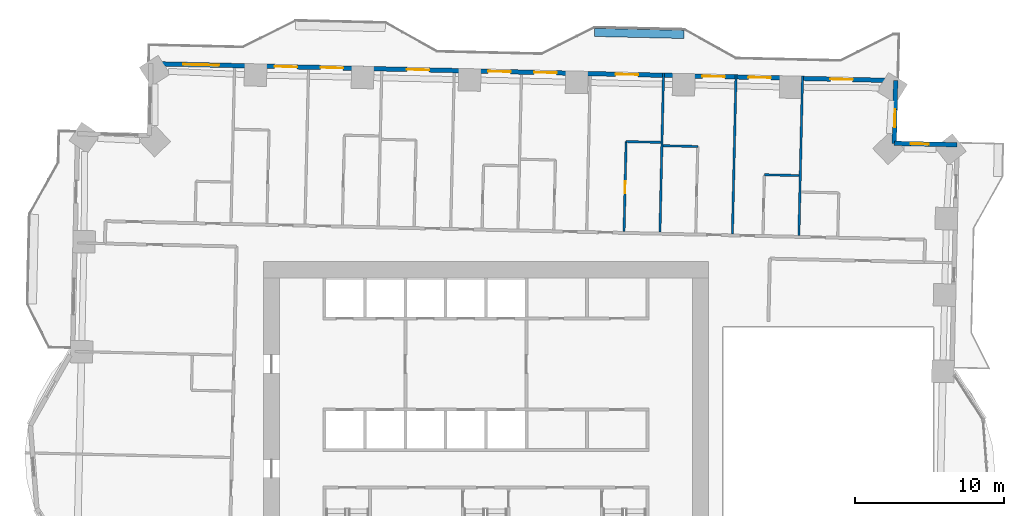
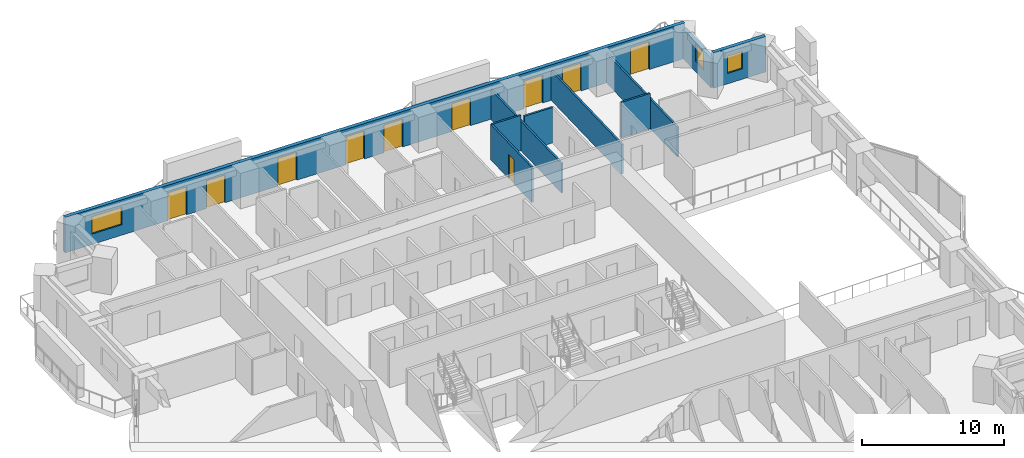
# One storey, part 14 of 20: 11 walls, 10 doors, 3 windows, 13 openings.
"""IFC4 building model written with IfcOpenShell, lengths in metres."""

from ifc_helpers import new_model, si_unit, direction, frame, frame_2d, origin, place, context, subcontext, project, spatial, rectangle, extrude, material, layer, layer_set, type_object, element, fill, save


model = new_model("IFC4")

# Units and contexts
model_context = context("Model", 3, precision=1e-05, world=origin(), true_north=direction((0.0, 1.0)))
body_context = subcontext(model_context, "Body", "Model", "MODEL_VIEW")
ifc_project = project(units=[si_unit("LENGTHUNIT", "METRE"), si_unit("AREAUNIT", "SQUARE_METRE"), si_unit("VOLUMEUNIT", "CUBIC_METRE"), si_unit("PLANEANGLEUNIT", "RADIAN"), si_unit("MASSUNIT", "GRAM", prefix="KILO")], contexts=[model_context])

# Site, building, storey
site_placement = place(None, origin())
site = spatial("IfcSite", under=ifc_project, at=site_placement, CompositionType="ELEMENT")
building_placement = place(site_placement, origin())
building = spatial("IfcBuilding", under=site, at=building_placement, Name="Mangrove Gate Tower", CompositionType="ELEMENT")
storey_placement = place(building_placement, frame((0.0, 0.0, 60.300048828125)))
storey = spatial("IfcBuildingStorey", under=building, at=storey_placement, Name="L14", CompositionType="ELEMENT", Elevation=60.300048828125)

# Wall, opening, window
ifc_material_1 = material(Name="Limestone", Category="masonry")
ifc_layer_1 = layer(ifc_material_1, 0.0400390625, Name="Limestone cladding")
ifc_material_2 = material(Name="Ventilated air gap")
ifc_layer_2 = layer(ifc_material_2, 0.0400390625, Name="Ventilated cavity")
ifc_material_3 = material(Name="Mineral wool insulation")
ifc_layer_3 = layer(ifc_material_3, 0.06005859375, Name="Insulation")
ifc_material_4 = material(Name="Breather membrane")
ifc_layer_4 = layer(ifc_material_4, 0.001953125, Name="Breather membrane")
ifc_material_5 = material(Name="Concrete C20/25 blockwork", Category="masonry")
ifc_layer_5 = layer(ifc_material_5, 0.14990234375, Name="Blockwork backing wall")
ifc_material_6 = material(Name="Gypsum plaster")
ifc_layer_6 = layer(ifc_material_6, 0.008056640625, Name="Internal plaster")
ifc_layer_set_1 = layer_set([ifc_layer_1, ifc_layer_2, ifc_layer_3, ifc_layer_4, ifc_layer_5, ifc_layer_6], Name="External wall 300 limestone cladding")
wall_type_1 = type_object("IfcWallType", Name="External wall 300 limestone cladding", PredefinedType="SOLIDWALL", material=ifc_layer_set_1)
wall_1_placement = place(storey_placement, frame((31.510986328125, 19.72705078125, 0.0), z_axis=(0.0, 0.0, 1.0), x_axis=(-0.999744320311, 0.022611811187, 0.0)))
wall_1 = element("IfcWall", 1, at=wall_1_placement, inside=storey, type_object=wall_type_1, Name="WALL-L14-N3", PredefinedType="SOLIDWALL", context=body_context, shape_type="SweptSolid", body=[
    extrude(rectangle(XDim=4.199951171875, YDim=0.300048828125, at=frame_2d((2.10009765625, 0.0))), origin(), (0.0, 0.0, 1.0), 3.050048828125),
])
opening_1_placement = place(wall_1_placement, frame((1.902099609375, 0.0, 0.89990234375)))
opening_1 = element("IfcOpeningElement", 2, at=opening_1_placement, cuts=wall_1, Name="Opening W1", PredefinedType="OPENING", context=body_context, shape_type="SweptSolid", body=[
    extrude(rectangle(XDim=1.199951171875, YDim=1.5, at=frame_2d((0.60009765625, 0.75))), frame((0.0, 0.159912109375, 0.0), z_axis=(0.0, -1.0, 0.0), x_axis=(1.0, 0.0, 0.0)), (0.0, 0.0, 1.0), 0.320068359375),
])
ifc_material_7 = material(Name="Aluminium frame with double-glazed low-e glass", Category="aluminium")
window_type_1 = type_object("IfcWindowType", Name="Side lite 1200x1500", PartitioningType="SINGLE_PANEL", PredefinedType="WINDOW", material=ifc_material_7)
window_1_placement = place(opening_1_placement, origin())
window_1 = element("IfcWindow", 3, at=window_1_placement, inside=storey, type_object=window_type_1, Name="WIN-L14-N3-1", OverallHeight=1.5, OverallWidth=1.199951171875, PartitioningType="SINGLE_PANEL", PredefinedType="WINDOW", context=body_context, shape_type="SweptSolid", body=[
    extrude(rectangle(XDim=1.199951171875, YDim=1.5, at=frame_2d((0.60009765625, 0.75))), frame((0.0, 0.030029296875, 0.0), z_axis=(0.0, -1.0, 0.0), x_axis=(1.0, 0.0, 0.0)), (0.0, 0.0, 1.0), 0.06005859375),
])
fill(opening_1, window_1)

wall_2_placement = place(storey_placement, frame((27.31201171875, 19.822021484375, 0.0), z_axis=(0.0, 0.0, 1.0), x_axis=(0.022611811187, 0.999744320311, 0.0)))
wall_2 = element("IfcWall", 4, at=wall_2_placement, inside=storey, type_object=wall_type_1, Name="WALL-L14-E4", PredefinedType="SOLIDWALL", context=body_context, shape_type="SweptSolid", body=[
    extrude(rectangle(XDim=4.199951171875, YDim=0.300048828125, at=frame_2d((2.10009765625, 0.0))), origin(), (0.0, 0.0, 1.0), 2.550048828125),
])
opening_2_placement = place(wall_2_placement, frame((1.0791015625, 0.0, 0.89990234375)))
opening_2 = element("IfcOpeningElement", 5, at=opening_2_placement, cuts=wall_2, Name="Opening W1", PredefinedType="OPENING", context=body_context, shape_type="SweptSolid", body=[
    extrude(rectangle(XDim=1.199951171875, YDim=1.5, at=frame_2d((0.60009765625, 0.75))), frame((0.0, 0.159912109375, 0.0), z_axis=(0.0, -1.0, 0.0), x_axis=(1.0, 0.0, 0.0)), (0.0, 0.0, 1.0), 0.320068359375),
])
window_2_placement = place(opening_2_placement, origin())
window_2 = element("IfcWindow", 6, at=window_2_placement, inside=storey, type_object=window_type_1, Name="WIN-L14-E4-1", OverallHeight=1.5, OverallWidth=1.199951171875, PartitioningType="SINGLE_PANEL", PredefinedType="WINDOW", context=body_context, shape_type="SweptSolid", body=[
    extrude(rectangle(XDim=1.199951171875, YDim=1.5, at=frame_2d((0.60009765625, 0.75))), frame((0.0, 0.030029296875, 0.0), z_axis=(0.0, -1.0, 0.0), x_axis=(1.0, 0.0, 0.0)), (0.0, 0.0, 1.0), 0.06005859375),
])
fill(opening_2, window_2)

# Wall, openings, doors, window
wall_3_placement = place(storey_placement, frame((27.406982421875, 24.02099609375, 0.0), z_axis=(0.0, 0.0, 1.0), x_axis=(-0.99974239923, 0.022696589664, 0.0)))
wall_3 = element("IfcWall", 7, at=wall_3_placement, inside=storey, type_object=wall_type_1, Name="WALL-L14-N5", PredefinedType="SOLIDWALL", context=body_context, shape_type="SweptSolid", body=[
    extrude(rectangle(XDim=49.8359375, YDim=0.300048828125, at=frame_2d((24.91796875, 0.0))), origin(), (0.0, 0.0, 1.0), 3.050048828125),
])
opening_3_placement = place(wall_3_placement, frame((2.87109375, 0.0, 0.0)))
opening_3 = element("IfcOpeningElement", 8, at=opening_3_placement, cuts=wall_3, Name="Opening BD1", PredefinedType="OPENING", context=body_context, shape_type="SweptSolid", body=[
    extrude(rectangle(XDim=1.5, YDim=2.39990234375, at=frame_2d((0.75, 1.199951171875))), frame((0.0, 0.159912109375, 0.0), z_axis=(0.0, -1.0, 0.0), x_axis=(1.0, 0.0, 0.0)), (0.0, 0.0, 1.0), 0.320068359375),
])
opening_4_placement = place(wall_3_placement, frame((8.34912109375, 0.0, 0.0)))
opening_4 = element("IfcOpeningElement", 9, at=opening_4_placement, cuts=wall_3, Name="Opening BD1", PredefinedType="OPENING", context=body_context, shape_type="SweptSolid", body=[
    extrude(rectangle(XDim=1.5, YDim=2.39990234375, at=frame_2d((0.75, 1.199951171875))), frame((0.0, 0.159912109375, 0.0), z_axis=(0.0, -1.0, 0.0), x_axis=(1.0, 0.0, 0.0)), (0.0, 0.0, 1.0), 0.320068359375),
])
opening_5_placement = place(wall_3_placement, frame((11.429931640625, 0.0, 0.0)))
opening_5 = element("IfcOpeningElement", 10, at=opening_5_placement, cuts=wall_3, Name="Opening BD1", PredefinedType="OPENING", context=body_context, shape_type="SweptSolid", body=[
    extrude(rectangle(XDim=1.5, YDim=2.39990234375, at=frame_2d((0.75, 1.199951171875))), frame((0.0, 0.159912109375, 0.0), z_axis=(0.0, -1.0, 0.0), x_axis=(1.0, 0.0, 0.0)), (0.0, 0.0, 1.0), 0.320068359375),
])
opening_6_placement = place(wall_3_placement, frame((17.236083984375, 0.0, 0.0)))
opening_6 = element("IfcOpeningElement", 11, at=opening_6_placement, cuts=wall_3, Name="Opening BD1", PredefinedType="OPENING", context=body_context, shape_type="SweptSolid", body=[
    extrude(rectangle(XDim=1.5, YDim=2.39990234375, at=frame_2d((0.75, 1.199951171875))), frame((0.0, 0.159912109375, 0.0), z_axis=(0.0, -1.0, 0.0), x_axis=(1.0, 0.0, 0.0)), (0.0, 0.0, 1.0), 0.320068359375),
])
opening_7_placement = place(wall_3_placement, frame((22.68603515625, 0.0, 0.0)))
opening_7 = element("IfcOpeningElement", 12, at=opening_7_placement, cuts=wall_3, Name="Opening BD1", PredefinedType="OPENING", context=body_context, shape_type="SweptSolid", body=[
    extrude(rectangle(XDim=1.5, YDim=2.39990234375, at=frame_2d((0.75, 1.199951171875))), frame((0.0, 0.159912109375, 0.0), z_axis=(0.0, -1.0, 0.0), x_axis=(1.0, 0.0, 0.0)), (0.0, 0.0, 1.0), 0.320068359375),
])
opening_8_placement = place(wall_3_placement, frame((25.76708984375, 0.0, 0.0)))
opening_8 = element("IfcOpeningElement", 13, at=opening_8_placement, cuts=wall_3, Name="Opening BD1", PredefinedType="OPENING", context=body_context, shape_type="SweptSolid", body=[
    extrude(rectangle(XDim=1.5, YDim=2.39990234375, at=frame_2d((0.75, 1.199951171875))), frame((0.0, 0.159912109375, 0.0), z_axis=(0.0, -1.0, 0.0), x_axis=(1.0, 0.0, 0.0)), (0.0, 0.0, 1.0), 0.320068359375),
])
opening_9_placement = place(wall_3_placement, frame((31.2109375, 0.0, 0.0)))
opening_9 = element("IfcOpeningElement", 14, at=opening_9_placement, cuts=wall_3, Name="Opening BD1", PredefinedType="OPENING", context=body_context, shape_type="SweptSolid", body=[
    extrude(rectangle(XDim=1.5, YDim=2.39990234375, at=frame_2d((0.75, 1.199951171875))), frame((0.0, 0.159912109375, 0.0), z_axis=(0.0, -1.0, 0.0), x_axis=(1.0, 0.0, 0.0)), (0.0, 0.0, 1.0), 0.320068359375),
])
opening_10_placement = place(wall_3_placement, frame((36.97412109375, 0.0, 0.0)))
opening_10 = element("IfcOpeningElement", 15, at=opening_10_placement, cuts=wall_3, Name="Opening BD1", PredefinedType="OPENING", context=body_context, shape_type="SweptSolid", body=[
    extrude(rectangle(XDim=1.5, YDim=2.39990234375, at=frame_2d((0.75, 1.199951171875))), frame((0.0, 0.159912109375, 0.0), z_axis=(0.0, -1.0, 0.0), x_axis=(1.0, 0.0, 0.0)), (0.0, 0.0, 1.0), 0.320068359375),
])
opening_11_placement = place(wall_3_placement, frame((40.054931640625, 0.0, 0.0)))
opening_11 = element("IfcOpeningElement", 16, at=opening_11_placement, cuts=wall_3, Name="Opening BD1", PredefinedType="OPENING", context=body_context, shape_type="SweptSolid", body=[
    extrude(rectangle(XDim=1.5, YDim=2.39990234375, at=frame_2d((0.75, 1.199951171875))), frame((0.0, 0.159912109375, 0.0), z_axis=(0.0, -1.0, 0.0), x_axis=(1.0, 0.0, 0.0)), (0.0, 0.0, 1.0), 0.320068359375),
])
opening_12_placement = place(wall_3_placement, frame((45.281982421875, 0.0, 0.89990234375)))
opening_12 = element("IfcOpeningElement", 17, at=opening_12_placement, cuts=wall_3, Name="Opening W2", PredefinedType="OPENING", context=body_context, shape_type="SweptSolid", body=[
    extrude(rectangle(XDim=2.39990234375, YDim=1.5, at=frame_2d((1.199951171875, 0.75))), frame((0.0, 0.159912109375, 0.0), z_axis=(0.0, -1.0, 0.0), x_axis=(1.0, 0.0, 0.0)), (0.0, 0.0, 1.0), 0.320068359375),
])
ifc_material_8 = material(Name="Aluminium frame with laminated clear glass", Category="aluminium")
door_type_1 = type_object("IfcDoorType", Name="Balcony sliding door 1500x2400", OperationType="SLIDING_TO_LEFT", PredefinedType="DOOR", material=ifc_material_8)
door_1_placement = place(opening_3_placement, origin())
door_1 = element("IfcDoor", 18, at=door_1_placement, inside=storey, type_object=door_type_1, Name="DOOR-L14-N5-1", OperationType="SLIDING_TO_LEFT", OverallHeight=2.39990234375, OverallWidth=1.5, PredefinedType="DOOR", context=body_context, shape_type="SweptSolid", body=[
    extrude(rectangle(XDim=1.5, YDim=2.39990234375, at=frame_2d((0.75, 1.199951171875))), frame((0.0, 0.02490234375, 0.0), z_axis=(0.0, -1.0, 0.0), x_axis=(1.0, 0.0, 0.0)), (0.0, 0.0, 1.0), 0.050048828125),
])
fill(opening_3, door_1)
door_2_placement = place(opening_4_placement, origin())
door_2 = element("IfcDoor", 19, at=door_2_placement, inside=storey, type_object=door_type_1, Name="DOOR-L14-N5-2", OperationType="SLIDING_TO_LEFT", OverallHeight=2.39990234375, OverallWidth=1.5, PredefinedType="DOOR", context=body_context, shape_type="SweptSolid", body=[
    extrude(rectangle(XDim=1.5, YDim=2.39990234375, at=frame_2d((0.75, 1.199951171875))), frame((0.0, 0.02490234375, 0.0), z_axis=(0.0, -1.0, 0.0), x_axis=(1.0, 0.0, 0.0)), (0.0, 0.0, 1.0), 0.050048828125),
])
fill(opening_4, door_2)
door_3_placement = place(opening_5_placement, origin())
door_3 = element("IfcDoor", 20, at=door_3_placement, inside=storey, type_object=door_type_1, Name="DOOR-L14-N5-3", OperationType="SLIDING_TO_LEFT", OverallHeight=2.39990234375, OverallWidth=1.5, PredefinedType="DOOR", context=body_context, shape_type="SweptSolid", body=[
    extrude(rectangle(XDim=1.5, YDim=2.39990234375, at=frame_2d((0.75, 1.199951171875))), frame((0.0, 0.02490234375, 0.0), z_axis=(0.0, -1.0, 0.0), x_axis=(1.0, 0.0, 0.0)), (0.0, 0.0, 1.0), 0.050048828125),
])
fill(opening_5, door_3)
door_4_placement = place(opening_6_placement, origin())
door_4 = element("IfcDoor", 21, at=door_4_placement, inside=storey, type_object=door_type_1, Name="DOOR-L14-N5-4", OperationType="SLIDING_TO_LEFT", OverallHeight=2.39990234375, OverallWidth=1.5, PredefinedType="DOOR", context=body_context, shape_type="SweptSolid", body=[
    extrude(rectangle(XDim=1.5, YDim=2.39990234375, at=frame_2d((0.75, 1.199951171875))), frame((0.0, 0.02490234375, 0.0), z_axis=(0.0, -1.0, 0.0), x_axis=(1.0, 0.0, 0.0)), (0.0, 0.0, 1.0), 0.050048828125),
])
fill(opening_6, door_4)
door_5_placement = place(opening_7_placement, origin())
door_5 = element("IfcDoor", 22, at=door_5_placement, inside=storey, type_object=door_type_1, Name="DOOR-L14-N5-5", OperationType="SLIDING_TO_LEFT", OverallHeight=2.39990234375, OverallWidth=1.5, PredefinedType="DOOR", context=body_context, shape_type="SweptSolid", body=[
    extrude(rectangle(XDim=1.5, YDim=2.39990234375, at=frame_2d((0.75, 1.199951171875))), frame((0.0, 0.02490234375, 0.0), z_axis=(0.0, -1.0, 0.0), x_axis=(1.0, 0.0, 0.0)), (0.0, 0.0, 1.0), 0.050048828125),
])
fill(opening_7, door_5)
door_6_placement = place(opening_8_placement, origin())
door_6 = element("IfcDoor", 23, at=door_6_placement, inside=storey, type_object=door_type_1, Name="DOOR-L14-N5-6", OperationType="SLIDING_TO_LEFT", OverallHeight=2.39990234375, OverallWidth=1.5, PredefinedType="DOOR", context=body_context, shape_type="SweptSolid", body=[
    extrude(rectangle(XDim=1.5, YDim=2.39990234375, at=frame_2d((0.75, 1.199951171875))), frame((0.0, 0.02490234375, 0.0), z_axis=(0.0, -1.0, 0.0), x_axis=(1.0, 0.0, 0.0)), (0.0, 0.0, 1.0), 0.050048828125),
])
fill(opening_8, door_6)
door_7_placement = place(opening_9_placement, origin())
door_7 = element("IfcDoor", 24, at=door_7_placement, inside=storey, type_object=door_type_1, Name="DOOR-L14-N5-7", OperationType="SLIDING_TO_LEFT", OverallHeight=2.39990234375, OverallWidth=1.5, PredefinedType="DOOR", context=body_context, shape_type="SweptSolid", body=[
    extrude(rectangle(XDim=1.5, YDim=2.39990234375, at=frame_2d((0.75, 1.199951171875))), frame((0.0, 0.02490234375, 0.0), z_axis=(0.0, -1.0, 0.0), x_axis=(1.0, 0.0, 0.0)), (0.0, 0.0, 1.0), 0.050048828125),
])
fill(opening_9, door_7)
door_8_placement = place(opening_10_placement, origin())
door_8 = element("IfcDoor", 25, at=door_8_placement, inside=storey, type_object=door_type_1, Name="DOOR-L14-N5-8", OperationType="SLIDING_TO_LEFT", OverallHeight=2.39990234375, OverallWidth=1.5, PredefinedType="DOOR", context=body_context, shape_type="SweptSolid", body=[
    extrude(rectangle(XDim=1.5, YDim=2.39990234375, at=frame_2d((0.75, 1.199951171875))), frame((0.0, 0.02490234375, 0.0), z_axis=(0.0, -1.0, 0.0), x_axis=(1.0, 0.0, 0.0)), (0.0, 0.0, 1.0), 0.050048828125),
])
fill(opening_10, door_8)
door_9_placement = place(opening_11_placement, origin())
door_9 = element("IfcDoor", 26, at=door_9_placement, inside=storey, type_object=door_type_1, Name="DOOR-L14-N5-9", OperationType="SLIDING_TO_LEFT", OverallHeight=2.39990234375, OverallWidth=1.5, PredefinedType="DOOR", context=body_context, shape_type="SweptSolid", body=[
    extrude(rectangle(XDim=1.5, YDim=2.39990234375, at=frame_2d((0.75, 1.199951171875))), frame((0.0, 0.02490234375, 0.0), z_axis=(0.0, -1.0, 0.0), x_axis=(1.0, 0.0, 0.0)), (0.0, 0.0, 1.0), 0.050048828125),
])
fill(opening_11, door_9)
ifc_material_9 = material(Name="Aluminium frame with double-glazed low-e glass", Category="aluminium")
window_type_2 = type_object("IfcWindowType", Name="Corner room window 2400x1500", PartitioningType="DOUBLE_PANEL_VERTICAL", PredefinedType="WINDOW", material=ifc_material_9)
window_3_placement = place(opening_12_placement, origin())
window_3 = element("IfcWindow", 27, at=window_3_placement, inside=storey, type_object=window_type_2, Name="WIN-L14-N5-10", OverallHeight=1.5, OverallWidth=2.39990234375, PartitioningType="DOUBLE_PANEL_VERTICAL", PredefinedType="WINDOW", context=body_context, shape_type="SweptSolid", body=[
    extrude(rectangle(XDim=2.39990234375, YDim=1.5, at=frame_2d((1.199951171875, 0.75))), frame((0.0, 0.030029296875, 0.0), z_axis=(0.0, -1.0, 0.0), x_axis=(1.0, 0.0, 0.0)), (0.0, 0.0, 1.0), 0.06005859375),
])
fill(opening_12, window_3)

# Wall, opening, door
ifc_material_10 = material(Name="Gypsum board on steel stud, EI 60", Category="steel")
ifc_layer_7 = layer(ifc_material_10, 0.14990234375)
ifc_layer_set_2 = layer_set([ifc_layer_7], Name="Party wall 150 EI 60")
wall_type_2 = type_object("IfcWallType", Name="Party wall 150 EI 60", PredefinedType="PARTITIONING", material=ifc_layer_set_2)
wall_4_placement = place(storey_placement, frame((9.235107421875, 13.930908203125, 0.0), z_axis=(0.0, 0.0, 1.0), x_axis=(0.022790616683, 0.999740260163, 0.0)))
wall_4 = element("IfcWall", 28, at=wall_4_placement, inside=storey, type_object=wall_type_2, Name="WALL-L14-070", PredefinedType="PARTITIONING", context=body_context, shape_type="SweptSolid", body=[
    extrude(rectangle(XDim=6.009521484375, YDim=0.14990234375, at=frame_2d((3.0048828125, 0.0))), origin(), (0.0, 0.0, 1.0), 3.050048828125),
])
opening_13_placement = place(wall_4_placement, frame((2.554931640625, 0.0, 0.0)))
opening_13 = element("IfcOpeningElement", 29, at=opening_13_placement, cuts=wall_4, Name="Opening ED", PredefinedType="OPENING", context=body_context, shape_type="SweptSolid", body=[
    extrude(rectangle(XDim=0.800048828125, YDim=2.10009765625, at=frame_2d((0.39990234375, 1.050048828125))), frame((0.0, 0.0849609375, 0.0), z_axis=(0.0, -1.0, 0.0), x_axis=(1.0, 0.0, 0.0)), (0.0, 0.0, 1.0), 0.169921875),
])
ifc_material_11 = material(Name="Timber door leaf", Category="wood")
door_type_2 = type_object("IfcDoorType", Name="En-suite door 800", OperationType="SINGLE_SWING_LEFT", PredefinedType="DOOR", material=ifc_material_11)
door_10_placement = place(opening_13_placement, origin())
door_10 = element("IfcDoor", 30, at=door_10_placement, inside=storey, type_object=door_type_2, Name="DOOR-L14-ENS-c412", OperationType="SINGLE_SWING_RIGHT", OverallHeight=2.10009765625, OverallWidth=0.800048828125, PredefinedType="DOOR", context=body_context, shape_type="SweptSolid", body=[
    extrude(rectangle(XDim=0.800048828125, YDim=2.10009765625, at=frame_2d((0.39990234375, 1.050048828125))), frame((0.0, 0.02490234375, 0.0), z_axis=(0.0, -1.0, 0.0), x_axis=(1.0, 0.0, 0.0)), (0.0, 0.0, 1.0), 0.050048828125),
])
fill(opening_13, door_10)

# Walls
for number, where, z_axis, x_axis, name in (
    (31, (11.635009765625, 13.8759765625, 0.0), (0.0, 0.0, 1.0), (0.022624555408, 0.999744031986, 0.0), "WALL-L14-071"),
    (32, (16.48388671875, 13.76611328125, 0.0), (0.0, 0.0, 1.0), (0.022647466205, 0.999743513245, 0.0), "WALL-L14-073"),
    (33, (20.931884765625, 13.6650390625, 0.0), (0.0, 0.0, 1.0), (0.022739109038, 0.999741433032, 0.0), "WALL-L14-075"),
):
    element("IfcWall", number, at=place(storey_placement, frame(where, z_axis=z_axis, x_axis=x_axis)), inside=storey, type_object=wall_type_2, Name=name, PredefinedType="PARTITIONING", context=body_context, shape_type="SweptSolid", body=[
        extrude(rectangle(XDim=10.650634765625, YDim=0.14990234375, at=frame_2d((5.3251953125, 0.0))), origin(), (0.0, 0.0, 1.0), 2.550048828125),
    ])
wall_5_placement = place(storey_placement, frame((18.6259765625, 17.718994140625, 0.0), z_axis=(0.0, 0.0, 1.0), x_axis=(0.999740260747, -0.02279059109, 0.0)))
element("IfcWall", 34, at=wall_5_placement, inside=storey, type_object=wall_type_2, Name="WALL-L14-079", PredefinedType="PARTITIONING", context=body_context, shape_type="SweptSolid", body=[
    extrude(rectangle(XDim=2.324462890625, YDim=0.14990234375, at=frame_2d((1.162109375, 0.0))), origin(), (0.0, 0.0, 1.0), 3.050048828125),
])
wall_6_placement = place(storey_placement, frame((11.843017578125, 19.6630859375, 0.0), z_axis=(0.0, 0.0, 1.0), x_axis=(0.999740478815, -0.022781023197, 0.0)))
element("IfcWall", 35, at=wall_6_placement, inside=storey, type_object=wall_type_2, Name="WALL-L14-083", PredefinedType="PARTITIONING", context=body_context, shape_type="SweptSolid", body=[
    extrude(rectangle(XDim=2.325439453125, YDim=0.14990234375, at=frame_2d((1.16259765625, 0.0))), origin(), (0.0, 0.0, 1.0), 3.050048828125),
])
wall_7_placement = place(storey_placement, frame((9.3740234375, 19.93896484375, 0.0), z_axis=(0.0, 0.0, 1.0), x_axis=(0.999740260747, -0.02279059109, 0.0)))
element("IfcWall", 36, at=wall_7_placement, inside=storey, type_object=wall_type_2, Name="WALL-L14-085", PredefinedType="PARTITIONING", context=body_context, shape_type="SweptSolid", body=[
    extrude(rectangle(XDim=2.324462890625, YDim=0.14990234375, at=frame_2d((1.162109375, 0.0))), origin(), (0.0, 0.0, 1.0), 3.050048828125),
])
ifc_material_12 = material(Name="Concrete C32/40", Category="concrete")
ifc_layer_8 = layer(ifc_material_12, 0.199951171875, Name="Planter trough wall")
ifc_material_13 = material(Name="Bituminous waterproofing membrane")
ifc_layer_9 = layer(ifc_material_13, 0.0048828125, Name="Waterproofing")
ifc_material_14 = material(Name="Drainage board and gravel")
ifc_layer_10 = layer(ifc_material_14, 0.044921875, Name="Drainage layer")
ifc_material_15 = material(Name="Planting soil")
ifc_layer_11 = layer(ifc_material_15, 0.300048828125, Name="Growing medium")
ifc_layer_set_3 = layer_set([ifc_layer_8, ifc_layer_9, ifc_layer_10, ifc_layer_11], Name="Planter wall 550 C32/40")
wall_type_3 = type_object("IfcWallType", Name="Planter wall 550 C32/40", PredefinedType="USERDEFINED", material=ifc_layer_set_3)
wall_8_placement = place(storey_placement, frame((7.257080078125, 27.243896484375, 0.0), z_axis=(0.0, 0.0, 1.0), x_axis=(0.999743178102, -0.022662255828, 0.0)))
element("IfcWall", 37, at=wall_8_placement, inside=storey, type_object=wall_type_3, Name="PLANTER L14 N0.1", ObjectType="PLANTER", PredefinedType="USERDEFINED", context=body_context, shape_type="SweptSolid", body=[
    extrude(rectangle(XDim=6.00048828125, YDim=0.550048828125, at=frame_2d((3.000244140625, 0.0))), origin(), (0.0, 0.0, 1.0), 0.800048828125),
])

save(model, "model.ifc")
